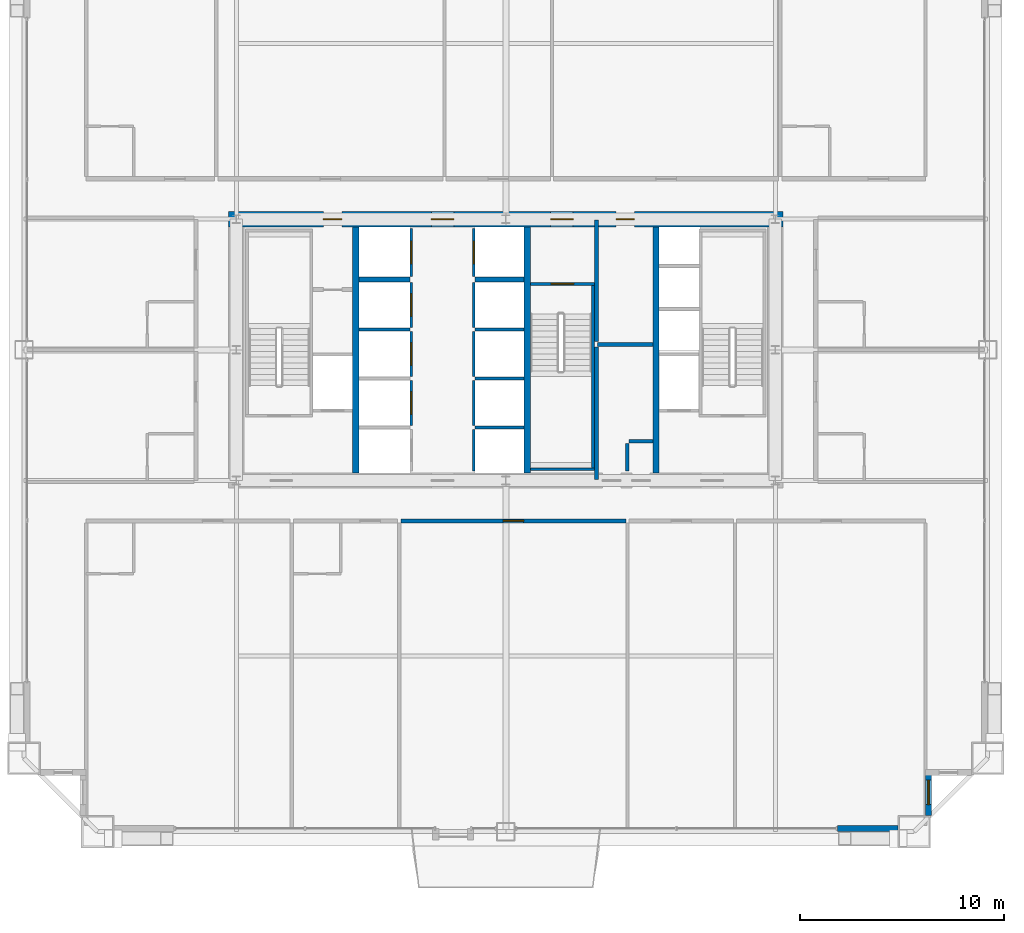
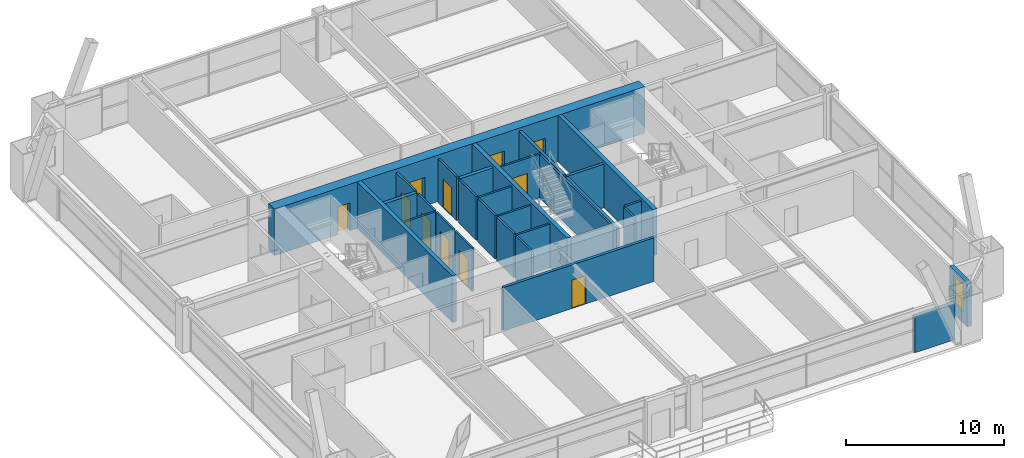
# One storey, part 40 of 43: 30 walls, 11 doors, 1 window, 12 openings.
"""IFC4 building model written with IfcOpenShell, lengths in metres."""

from ifc_helpers import new_model, si_unit, direction, frame, frame_2d, origin, place, context, subcontext, project, spatial, rectangle, extrude, source, transform, mapped, material, layer, layer_set, type_object, element, fill, save


model = new_model("IFC4")

# Units and contexts
model_context = context("Model", 3, precision=1e-05, world=origin(), true_north=direction((0.0, 1.0)))
body_context = subcontext(model_context, "Body", "Model", "MODEL_VIEW")
ifc_project = project(units=[si_unit("LENGTHUNIT", "METRE"), si_unit("AREAUNIT", "SQUARE_METRE"), si_unit("VOLUMEUNIT", "CUBIC_METRE"), si_unit("PLANEANGLEUNIT", "RADIAN"), si_unit("MASSUNIT", "GRAM", prefix="KILO"), si_unit("THERMODYNAMICTEMPERATUREUNIT", "KELVIN"), si_unit("POWERUNIT", "WATT")], contexts=[model_context])

# Site, building, storey
site_placement = place(None, origin())
site = spatial("IfcSite", under=ifc_project, at=site_placement, CompositionType="ELEMENT")
building_placement = place(site_placement, origin())
building = spatial("IfcBuilding", under=site, at=building_placement, Name="Yuzanri Waterfront Tower", CompositionType="ELEMENT")
storey_placement = place(building_placement, frame((0.0, 0.0, 138.0)))
storey = spatial("IfcBuildingStorey", under=building, at=storey_placement, Name="L36", CompositionType="ELEMENT", Elevation=138.0)

# Wall, opening, window
ifc_material_1 = material(Name="Honed Chongqing Dark Basalt Stone", Category="masonry")
ifc_layer_1 = layer(ifc_material_1, 0.300048828125)
ifc_layer_set_1 = layer_set([ifc_layer_1], Name="Honed Chongqing Dark Basalt Stone")
wall_type_1 = type_object("IfcWallType", Name="Bronze Rainscreen Insulated Spandrel Portal Wall 300", PredefinedType="SOLIDWALL", material=ifc_layer_set_1)
wall_1_placement = place(storey_placement, frame((57.699951171875, 3.0, 0.0), z_axis=(0.0, 0.0, 1.0), x_axis=(0.0, 1.0, 0.0)))
wall_1 = element("IfcWall", 1, at=wall_1_placement, inside=storey, type_object=wall_type_1, Name="L36 Notched Corner Masonry Wall SE-Y", PredefinedType="SOLIDWALL", context=body_context, shape_type="SweptSolid", body=[
    extrude(rectangle(XDim=2.25, YDim=0.300048828125, at=frame_2d((1.125, 0.0))), origin(), (0.0, 0.0, 1.0), 3.3798828125),
])
opening_1_placement = place(wall_1_placement, frame((0.52490234375, 0.0, 0.85009765625)))
opening_1 = element("IfcOpeningElement", 2, at=opening_1_placement, cuts=wall_1, Name="Opening WN-02", PredefinedType="OPENING", context=body_context, shape_type="SweptSolid", body=[
    extrude(rectangle(XDim=1.199951171875, YDim=2.10009765625, at=frame_2d((0.60009765625, 1.050048828125))), frame((0.0, 0.1650390625, 0.0), z_axis=(0.0, -1.0, 0.0), x_axis=(1.0, 0.0, 0.0)), (0.0, 0.0, 1.0), 0.329833984375),
])
ifc_material_2 = material(Name="Double-Silver Low-E Insulated Glass", Category="glass")
window_type = type_object("IfcWindowType", Name="Anodized Bronze Notched Corner Deep-Set Slot Window 1200x2100", PartitioningType="SINGLE_PANEL", PredefinedType="WINDOW", material=ifc_material_2)
shared_shape_1 = source(origin(), body_context, "Body", "SweptSolid", [
    extrude(rectangle(XDim=1.199951171875, YDim=2.10009765625, at=frame_2d((0.60009765625, 1.050048828125))), frame((0.0, 0.030029296875, 0.0), z_axis=(0.0, -1.0, 0.0), x_axis=(1.0, 0.0, 0.0)), (0.0, 0.0, 1.0), 0.06005859375),
])
window_placement = place(opening_1_placement, origin())
window = element("IfcWindow", 3, at=window_placement, inside=storey, type_object=window_type, Name="L36 Notched Corner Window SE-Y", OverallHeight=2.10009765625, OverallWidth=1.199951171875, PartitioningType="SINGLE_PANEL", PredefinedType="WINDOW", context=body_context, shape_type="MappedRepresentation", body=[
    mapped(shared_shape_1, transform((0.0, 0.0, 0.0), scale=1.0)),
])
fill(opening_1, window)

# Wall, openings, doors
ifc_material_3 = material(Name="Concrete C55", Category="concrete")
ifc_layer_2 = layer(ifc_material_3, 0.75)
ifc_layer_set_2 = layer_set([ifc_layer_2], Name="Concrete C55")
wall_type_2 = type_object("IfcWallType", Name="Concrete C55 Low-Mid Zone Core Shear Wall 750", PredefinedType="SHEAR", material=ifc_layer_set_2)
wall_2_placement = place(storey_placement, frame((23.425048828125, 32.199951171875, 0.0), z_axis=(0.0, 0.0, 1.0), x_axis=(1.0, 0.0, 0.0)))
wall_2 = element("IfcWall", 4, at=wall_2_placement, inside=storey, type_object=wall_type_2, Name="L36 Core North Shear Wall", PredefinedType="SHEAR", context=body_context, shape_type="SweptSolid", body=[
    extrude(rectangle(XDim=27.14990234375, YDim=0.75, at=frame_2d((13.574951171875, 0.0))), origin(), (0.0, 0.0, 1.0), 3.60009765625),
])
opening_2_placement = place(wall_2_placement, frame((4.64501953125, 0.0, 0.0)))
opening_2 = element("IfcOpeningElement", 5, at=opening_2_placement, cuts=wall_2, Name="Opening FD-0900", PredefinedType="OPENING", context=body_context, shape_type="SweptSolid", body=[
    extrude(rectangle(XDim=0.89990234375, YDim=2.14990234375, at=frame_2d((0.449951171875, 1.074951171875))), frame((0.0, 0.389892578125, 0.0), z_axis=(0.0, -1.0, 0.0), x_axis=(1.0, 0.0, 0.0)), (0.0, 0.0, 1.0), 0.77978515625),
])
opening_3_placement = place(wall_2_placement, frame((9.925048828125, 0.0, 0.0)))
opening_3 = element("IfcOpeningElement", 6, at=opening_3_placement, cuts=wall_2, Name="Opening FD-1100", PredefinedType="OPENING", context=body_context, shape_type="SweptSolid", body=[
    extrude(rectangle(XDim=1.10009765625, YDim=2.199951171875, at=frame_2d((0.550048828125, 1.10009765625))), frame((0.0, 0.389892578125, 0.0), z_axis=(0.0, -1.0, 0.0), x_axis=(1.0, 0.0, 0.0)), (0.0, 0.0, 1.0), 0.77978515625),
])
opening_4_placement = place(wall_2_placement, frame((15.77490234375, 0.0, 0.0)))
opening_4 = element("IfcOpeningElement", 7, at=opening_4_placement, cuts=wall_2, Name="Opening FD-1100", PredefinedType="OPENING", context=body_context, shape_type="SweptSolid", body=[
    extrude(rectangle(XDim=1.10009765625, YDim=2.199951171875, at=frame_2d((0.550048828125, 1.10009765625))), frame((0.0, 0.389892578125, 0.0), z_axis=(0.0, -1.0, 0.0), x_axis=(1.0, 0.0, 0.0)), (0.0, 0.0, 1.0), 0.77978515625),
])
opening_5_placement = place(wall_2_placement, frame((18.97509765625, 0.0, 0.0)))
opening_5 = element("IfcOpeningElement", 8, at=opening_5_placement, cuts=wall_2, Name="Opening FD-0900", PredefinedType="OPENING", context=body_context, shape_type="SweptSolid", body=[
    extrude(rectangle(XDim=0.89990234375, YDim=2.14990234375, at=frame_2d((0.449951171875, 1.074951171875))), frame((0.0, 0.389892578125, 0.0), z_axis=(0.0, -1.0, 0.0), x_axis=(1.0, 0.0, 0.0)), (0.0, 0.0, 1.0), 0.77978515625),
])
ifc_material_4 = material(Name="Painted Galvanized Fire Steel", Category="steel")
door_type_1 = type_object("IfcDoorType", Name="Smoke-Proof Stair and Lobby Fire Door 1100x2200", OperationType="NOTDEFINED", PredefinedType="DOOR", material=ifc_material_4)
shared_shape_2 = source(origin(), body_context, "Body", "SweptSolid", [
    extrude(rectangle(XDim=1.10009765625, YDim=2.199951171875, at=frame_2d((0.550048828125, 1.10009765625))), frame((0.0, 0.02490234375, 0.0), z_axis=(0.0, -1.0, 0.0), x_axis=(1.0, 0.0, 0.0)), (0.0, 0.0, 1.0), 0.050048828125),
])
door_1_placement = place(opening_3_placement, origin())
door_1 = element("IfcDoor", 9, at=door_1_placement, inside=storey, type_object=door_type_1, Name="L36 Central Lift Lobby North Door", OperationType="SINGLE_SWING_RIGHT", OverallHeight=2.199951171875, OverallWidth=1.10009765625, PredefinedType="DOOR", context=body_context, shape_type="MappedRepresentation", body=[
    mapped(shared_shape_2, transform((0.0, 0.0, 0.0), scale=1.0)),
])
fill(opening_3, door_1)
door_2_placement = place(opening_4_placement, origin())
door_2 = element("IfcDoor", 10, at=door_2_placement, inside=storey, type_object=door_type_1, Name="L36 North Stair Lobby Door", OperationType="SINGLE_SWING_LEFT", OverallHeight=2.199951171875, OverallWidth=1.10009765625, PredefinedType="DOOR", context=body_context, shape_type="MappedRepresentation", body=[
    mapped(shared_shape_2, transform((0.0, 0.0, 0.0), scale=1.0)),
])
fill(opening_4, door_2)
ifc_material_5 = material(Name="Painted Galvanized Fire Steel", Category="steel")
door_type_2 = type_object("IfcDoorType", Name="Riser and Service Room Fire Door 900x2150", OperationType="NOTDEFINED", PredefinedType="DOOR", material=ifc_material_5)
shared_shape_3 = source(origin(), body_context, "Body", "SweptSolid", [
    extrude(rectangle(XDim=0.89990234375, YDim=2.14990234375, at=frame_2d((0.449951171875, 1.074951171875))), frame((0.0, 0.02490234375, 0.0), z_axis=(0.0, -1.0, 0.0), x_axis=(1.0, 0.0, 0.0)), (0.0, 0.0, 1.0), 0.050048828125),
])
door_3_placement = place(opening_2_placement, origin())
door_3 = element("IfcDoor", 11, at=door_3_placement, inside=storey, type_object=door_type_2, Name="L36 Telecom Riser Door", OperationType="SINGLE_SWING_LEFT", OverallHeight=2.14990234375, OverallWidth=0.89990234375, PredefinedType="DOOR", context=body_context, shape_type="MappedRepresentation", body=[
    mapped(shared_shape_3, transform((0.0, 0.0, 0.0), scale=1.0)),
])
fill(opening_2, door_3)
door_4_placement = place(opening_5_placement, origin())
door_4 = element("IfcDoor", 12, at=door_4_placement, inside=storey, type_object=door_type_2, Name="L36 Housekeeping Room", OperationType="SINGLE_SWING_LEFT", OverallHeight=2.14990234375, OverallWidth=0.89990234375, PredefinedType="DOOR", context=body_context, shape_type="MappedRepresentation", body=[
    mapped(shared_shape_3, transform((0.0, 0.0, 0.0), scale=1.0)),
])
fill(opening_5, door_4)

# Wall, opening, door
ifc_material_6 = material(Name="Concrete C40", Category="concrete")
ifc_layer_3 = layer(ifc_material_6, 0.139892578125)
ifc_layer_set_3 = layer_set([ifc_layer_3], Name="Concrete C40")
wall_type_3 = type_object("IfcWallType", Name="Core Stair Liner and Hoistway Shaft Wall 140", PredefinedType="SOLIDWALL", material=ifc_layer_set_3)
wall_3_placement = place(storey_placement, frame((32.3701171875, 22.10009765625, 0.0), z_axis=(0.0, 0.0, 1.0), x_axis=(0.0, 1.0, 0.0)))
wall_3 = element("IfcWall", 13, at=wall_3_placement, inside=storey, type_object=wall_type_3, Name="L36 Lift PL-02 Front Shaft Wall", PredefinedType="SOLIDWALL", context=body_context, shape_type="SweptSolid", body=[
    extrude(rectangle(XDim=2.199951171875, YDim=0.139892578125, at=frame_2d((1.10009765625, 0.0))), origin(), (0.0, 0.0, 1.0), 3.3798828125),
])
opening_6_placement = place(wall_3_placement, frame((0.550048828125, 0.0, 0.0)))
opening_6 = element("IfcOpeningElement", 14, at=opening_6_placement, cuts=wall_3, Name="Opening LD-PL-02", PredefinedType="OPENING", context=body_context, shape_type="SweptSolid", body=[
    extrude(rectangle(XDim=1.10009765625, YDim=2.199951171875, at=frame_2d((0.550048828125, 1.10009765625))), frame((0.0, 0.0849609375, 0.0), z_axis=(0.0, -1.0, 0.0), x_axis=(1.0, 0.0, 0.0)), (0.0, 0.0, 1.0), 0.169677734375),
])
ifc_material_7 = material(Name="Brushed Bronze and Stainless Steel Cab", Category="steel")
door_type_3 = type_object("IfcDoorType", Name="Center-Parting Bronze Lift Landing Sliding Door 1100x2200", OperationType="NOTDEFINED", PredefinedType="DOOR", material=ifc_material_7)
shared_shape_4 = source(origin(), body_context, "Body", "SweptSolid", [
    extrude(rectangle(XDim=1.10009765625, YDim=2.199951171875, at=frame_2d((0.550048828125, 1.10009765625))), frame((0.0, 0.02490234375, 0.0), z_axis=(0.0, -1.0, 0.0), x_axis=(1.0, 0.0, 0.0)), (0.0, 0.0, 1.0), 0.050048828125),
])
door_5_placement = place(opening_6_placement, origin())
door_5 = element("IfcDoor", 15, at=door_5_placement, inside=storey, type_object=door_type_3, Name="L36 PL-02 Lift Landing Sliding Door", OperationType="SLIDING_TO_RIGHT", OverallHeight=2.199951171875, OverallWidth=1.10009765625, PredefinedType="DOOR", context=body_context, shape_type="MappedRepresentation", body=[
    mapped(shared_shape_4, transform((0.0, 0.0, 0.0), scale=1.0)),
])
fill(opening_6, door_5)

wall_4_placement = place(storey_placement, frame((32.3701171875, 24.5, 0.0), z_axis=(0.0, 0.0, 1.0), x_axis=(0.0, 1.0, 0.0)))
wall_4 = element("IfcWall", 16, at=wall_4_placement, inside=storey, type_object=wall_type_3, Name="L36 Lift PL-03 Front Shaft Wall", PredefinedType="SOLIDWALL", context=body_context, shape_type="SweptSolid", body=[
    extrude(rectangle(XDim=2.199951171875, YDim=0.139892578125, at=frame_2d((1.10009765625, 0.0))), origin(), (0.0, 0.0, 1.0), 3.3798828125),
])
opening_7_placement = place(wall_4_placement, frame((0.550048828125, 0.0, 0.0)))
opening_7 = element("IfcOpeningElement", 17, at=opening_7_placement, cuts=wall_4, Name="Opening LD-PL-03", PredefinedType="OPENING", context=body_context, shape_type="SweptSolid", body=[
    extrude(rectangle(XDim=1.10009765625, YDim=2.199951171875, at=frame_2d((0.550048828125, 1.10009765625))), frame((0.0, 0.0849609375, 0.0), z_axis=(0.0, -1.0, 0.0), x_axis=(1.0, 0.0, 0.0)), (0.0, 0.0, 1.0), 0.169677734375),
])
door_6_placement = place(opening_7_placement, origin())
door_6 = element("IfcDoor", 18, at=door_6_placement, inside=storey, type_object=door_type_3, Name="L36 PL-03 Lift Landing Sliding Door", OperationType="SLIDING_TO_LEFT", OverallHeight=2.199951171875, OverallWidth=1.10009765625, PredefinedType="DOOR", context=body_context, shape_type="MappedRepresentation", body=[
    mapped(shared_shape_4, transform((0.0, 0.0, 0.0), scale=1.0)),
])
fill(opening_7, door_6)

wall_5_placement = place(storey_placement, frame((32.3701171875, 26.89990234375, 0.0), z_axis=(0.0, 0.0, 1.0), x_axis=(0.0, 1.0, 0.0)))
wall_5 = element("IfcWall", 19, at=wall_5_placement, inside=storey, type_object=wall_type_3, Name="L36 Lift PL-04 Front Shaft Wall", PredefinedType="SOLIDWALL", context=body_context, shape_type="SweptSolid", body=[
    extrude(rectangle(XDim=2.2001953125, YDim=0.139892578125, at=frame_2d((1.10009765625, 0.0))), origin(), (0.0, 0.0, 1.0), 3.3798828125),
])
opening_8_placement = place(wall_5_placement, frame((0.550048828125, 0.0, 0.0)))
opening_8 = element("IfcOpeningElement", 20, at=opening_8_placement, cuts=wall_5, Name="Opening LD-PL-04", PredefinedType="OPENING", context=body_context, shape_type="SweptSolid", body=[
    extrude(rectangle(XDim=1.10009765625, YDim=2.199951171875, at=frame_2d((0.550048828125, 1.10009765625))), frame((0.0, 0.0849609375, 0.0), z_axis=(0.0, -1.0, 0.0), x_axis=(1.0, 0.0, 0.0)), (0.0, 0.0, 1.0), 0.169677734375),
])
door_7_placement = place(opening_8_placement, origin())
door_7 = element("IfcDoor", 21, at=door_7_placement, inside=storey, type_object=door_type_3, Name="L36 PL-04 Lift Landing Sliding Door", OperationType="SLIDING_TO_RIGHT", OverallHeight=2.199951171875, OverallWidth=1.10009765625, PredefinedType="DOOR", context=body_context, shape_type="MappedRepresentation", body=[
    mapped(shared_shape_4, transform((0.0, 0.0, 0.0), scale=1.0)),
])
fill(opening_8, door_7)

wall_6_placement = place(storey_placement, frame((32.3701171875, 29.39990234375, 0.0), z_axis=(0.0, 0.0, 1.0), x_axis=(0.0, 1.0, 0.0)))
wall_6 = element("IfcWall", 22, at=wall_6_placement, inside=storey, type_object=wall_type_3, Name="L36 Lift SL-01 Front Shaft Wall", PredefinedType="SOLIDWALL", context=body_context, shape_type="SweptSolid", body=[
    extrude(rectangle(XDim=2.340087890625, YDim=0.139892578125, at=frame_2d((1.169921875, 0.0))), origin(), (0.0, 0.0, 1.0), 3.3798828125),
])
opening_9_placement = place(wall_6_placement, frame((0.6201171875, 0.0, 0.0)))
opening_9 = element("IfcOpeningElement", 23, at=opening_9_placement, cuts=wall_6, Name="Opening LD-SL-01", PredefinedType="OPENING", context=body_context, shape_type="SweptSolid", body=[
    extrude(rectangle(XDim=1.10009765625, YDim=2.199951171875, at=frame_2d((0.550048828125, 1.10009765625))), frame((0.0, 0.0849609375, 0.0), z_axis=(0.0, -1.0, 0.0), x_axis=(1.0, 0.0, 0.0)), (0.0, 0.0, 1.0), 0.169677734375),
])
door_8_placement = place(opening_9_placement, origin())
door_8 = element("IfcDoor", 24, at=door_8_placement, inside=storey, type_object=door_type_3, Name="L36 SL-01 Lift Landing Sliding Door", OperationType="SLIDING_TO_LEFT", OverallHeight=2.199951171875, OverallWidth=1.10009765625, PredefinedType="DOOR", context=body_context, shape_type="MappedRepresentation", body=[
    mapped(shared_shape_4, transform((0.0, 0.0, 0.0), scale=1.0)),
])
fill(opening_9, door_8)

wall_7_placement = place(storey_placement, frame((35.429931640625, 29.39990234375, 0.0), z_axis=(0.0, 0.0, 1.0), x_axis=(0.0, 1.0, 0.0)))
wall_7 = element("IfcWall", 25, at=wall_7_placement, inside=storey, type_object=wall_type_3, Name="L36 Lift SL-02 Front Shaft Wall", PredefinedType="SOLIDWALL", context=body_context, shape_type="SweptSolid", body=[
    extrude(rectangle(XDim=2.340087890625, YDim=0.139892578125, at=frame_2d((1.169921875, 0.0))), origin(), (0.0, 0.0, 1.0), 3.3798828125),
])
opening_10_placement = place(wall_7_placement, frame((0.6201171875, 0.0, 0.0)))
opening_10 = element("IfcOpeningElement", 26, at=opening_10_placement, cuts=wall_7, Name="Opening LD-SL-02", PredefinedType="OPENING", context=body_context, shape_type="SweptSolid", body=[
    extrude(rectangle(XDim=1.10009765625, YDim=2.199951171875, at=frame_2d((0.550048828125, 1.10009765625))), frame((0.0, 0.0849609375, 0.0), z_axis=(0.0, -1.0, 0.0), x_axis=(1.0, 0.0, 0.0)), (0.0, 0.0, 1.0), 0.169677734375),
])
door_9_placement = place(opening_10_placement, origin())
door_9 = element("IfcDoor", 27, at=door_9_placement, inside=storey, type_object=door_type_3, Name="L36 SL-02 Lift Landing Sliding Door", OperationType="SLIDING_TO_RIGHT", OverallHeight=2.199951171875, OverallWidth=1.10009765625, PredefinedType="DOOR", context=body_context, shape_type="MappedRepresentation", body=[
    mapped(shared_shape_4, transform((0.0, 0.0, 0.0), scale=1.0)),
])
fill(opening_10, door_9)

wall_8_placement = place(storey_placement, frame((38.199951171875, 29.030029296875, 0.0), z_axis=(0.0, 0.0, 1.0), x_axis=(1.0, 0.0, 0.0)))
wall_8 = element("IfcWall", 28, at=wall_8_placement, inside=storey, type_object=wall_type_3, Name="L36 Shaft Wall STW-L36-ST-03-N", PredefinedType="SOLIDWALL", context=body_context, shape_type="SweptSolid", body=[
    extrude(rectangle(XDim=3.14013671875, YDim=0.139892578125, at=frame_2d((1.570068359375, 0.0))), origin(), (0.0, 0.0, 1.0), 3.3798828125),
])
opening_11_placement = place(wall_8_placement, frame((1.02001953125, 0.0, 0.0)))
opening_11 = element("IfcOpeningElement", 29, at=opening_11_placement, cuts=wall_8, Name="Opening FD-1100", PredefinedType="OPENING", context=body_context, shape_type="SweptSolid", body=[
    extrude(rectangle(XDim=1.10009765625, YDim=2.199951171875, at=frame_2d((0.550048828125, 1.10009765625))), frame((0.0, 0.0849609375, 0.0), z_axis=(0.0, -1.0, 0.0), x_axis=(1.0, 0.0, 0.0)), (0.0, 0.0, 1.0), 0.169677734375),
])
door_10_placement = place(opening_11_placement, origin())
door_10 = element("IfcDoor", 30, at=door_10_placement, inside=storey, type_object=door_type_1, Name="L36 Stair ST-03 Fire Door", OperationType="SINGLE_SWING_LEFT", OverallHeight=2.199951171875, OverallWidth=1.10009765625, PredefinedType="DOOR", context=body_context, shape_type="MappedRepresentation", body=[
    mapped(shared_shape_2, transform((0.0, 0.0, 0.0), scale=1.0)),
])
fill(opening_11, door_10)

ifc_material_8 = material(Name="Autoclaved Aerated Concrete Blockwork", Category="masonry")
ifc_layer_4 = layer(ifc_material_8, 0.199951171875)
ifc_layer_set_4 = layer_set([ifc_layer_4], Name="Autoclaved Aerated Concrete Blockwork")
wall_type_4 = type_object("IfcWallType", Name="Corridor and Unit Party Fire Wall 200", PredefinedType="PARTITIONING", material=ifc_layer_set_4)
wall_9_placement = place(storey_placement, frame((31.85791015625, 17.419921875, 0.0), z_axis=(0.0, 0.0, 1.0), x_axis=(1.0, 0.0, 0.0)))
wall_9 = element("IfcWall", 31, at=wall_9_placement, inside=storey, type_object=wall_type_4, Name="L36 Partition UW-L36-S3-CN", PredefinedType="PARTITIONING", context=body_context, shape_type="SweptSolid", body=[
    extrude(rectangle(XDim=11.024169921875, YDim=0.199951171875, at=frame_2d((5.51220703125, 0.0))), origin(), (0.0, 0.0, 1.0), 3.3798828125),
])
opening_12_placement = place(wall_9_placement, frame((5.011962890625, 0.0, 0.0)))
opening_12 = element("IfcOpeningElement", 32, at=opening_12_placement, cuts=wall_9, Name="Opening FD-1000", PredefinedType="OPENING", context=body_context, shape_type="SweptSolid", body=[
    extrude(rectangle(XDim=1.0, YDim=2.199951171875, at=frame_2d((0.5, 1.10009765625))), frame((0.0, 0.11474609375, 0.0), z_axis=(0.0, -1.0, 0.0), x_axis=(1.0, 0.0, 0.0)), (0.0, 0.0, 1.0), 0.229736328125),
])
ifc_material_9 = material(Name="Engineered Oak Fire-Rated Timber", Category="wood")
door_type_4 = type_object("IfcDoorType", Name="Guestroom and Apartment Entrance Fire Door 1000x2200", OperationType="NOTDEFINED", PredefinedType="DOOR", material=ifc_material_9)
shared_shape_5 = source(origin(), body_context, "Body", "SweptSolid", [
    extrude(rectangle(XDim=1.0, YDim=2.199951171875, at=frame_2d((0.5, 1.10009765625))), frame((0.0, 0.02490234375, 0.0), z_axis=(0.0, -1.0, 0.0), x_axis=(1.0, 0.0, 0.0)), (0.0, 0.0, 1.0), 0.050048828125),
])
door_11_placement = place(opening_12_placement, origin())
door_11 = element("IfcDoor", 33, at=door_11_placement, inside=storey, type_object=door_type_4, Name="L36 Yoga Gym Studio Entrance Door", OperationType="SINGLE_SWING_RIGHT", OverallHeight=2.199951171875, OverallWidth=1.0, PredefinedType="DOOR", context=body_context, shape_type="MappedRepresentation", body=[
    mapped(shared_shape_5, transform((0.0, 0.0, 0.0), scale=1.0)),
])
fill(opening_12, door_11)

# Walls
ifc_material_10 = material(Name="Concrete C50", Category="concrete")
ifc_layer_5 = layer(ifc_material_10, 0.300048828125)
ifc_layer_set_5 = layer_set([ifc_layer_5], Name="Concrete C50")
wall_type_5 = type_object("IfcWallType", Name="Concrete C50 Internal Core Shaft Structural Wall 300", PredefinedType="SOLIDWALL", material=ifc_layer_set_5)
shared_shape_6 = source(origin(), body_context, "Body", "SweptSolid", [
    extrude(rectangle(XDim=12.050048828125, YDim=0.300048828125, at=frame_2d((6.02490234375, 0.0))), origin(), (0.0, 0.0, 1.0), 3.60009765625),
])
for number, where, z_axis, x_axis, name in (
    (34, (29.64990234375, 19.77490234375, 0.0), (0.0, 0.0, 1.0), (0.0, 1.0, 0.0), "L36 Core Internal Structural Web Wall 1"),
    (35, (38.050048828125, 19.77490234375, 0.0), (0.0, 0.0, 1.0), (0.0, 1.0, 0.0), "L36 Core Internal Structural Web Wall 2"),
    (36, (44.35009765625, 19.77490234375, 0.0), (0.0, 0.0, 1.0), (0.0, 1.0, 0.0), "L36 Core Internal Structural Web Wall 3"),
):
    element("IfcWall", number, at=place(storey_placement, frame(where, z_axis=z_axis, x_axis=x_axis)), inside=storey, type_object=wall_type_5, Name=name, PredefinedType="SOLIDWALL", context=body_context, shape_type="MappedRepresentation", body=[
        mapped(shared_shape_6, transform((0.0, 0.0, 0.0), scale=1.0)),
    ])
shared_shape_7 = source(origin(), body_context, "Body", "SweptSolid", [
    extrude(rectangle(XDim=2.949951171875, YDim=0.300048828125, at=frame_2d((1.47509765625, 0.0))), origin(), (0.0, 0.0, 1.0), 2.77490234375),
])
wall_10_placement = place(storey_placement, frame((53.25, 2.35009765625, 0.0), z_axis=(0.0, 0.0, 1.0), x_axis=(1.0, 0.0, 0.0)))
element("IfcWall", 37, at=wall_10_placement, inside=storey, type_object=wall_type_1, Name="L36 S Right Braced Masonry Shoulder", PredefinedType="SOLIDWALL", context=body_context, shape_type="MappedRepresentation", body=[
    mapped(shared_shape_7, transform((0.0, 0.0, 0.0), scale=1.0)),
])
shared_shape_8 = source(origin(), body_context, "Body", "SweptSolid", [
    extrude(rectangle(XDim=2.5, YDim=0.139892578125, at=frame_2d((1.25, 0.0))), origin(), (0.0, 0.0, 1.0), 3.3798828125),
])
wall_11_placement = place(storey_placement, frame((29.800048828125, 26.800048828125, 0.0), z_axis=(0.0, 0.0, 1.0), x_axis=(1.0, 0.0, 0.0)))
element("IfcWall", 38, at=wall_11_placement, inside=storey, type_object=wall_type_3, Name="L36 Lift PL-03 Divider Wall", PredefinedType="SOLIDWALL", context=body_context, shape_type="MappedRepresentation", body=[
    mapped(shared_shape_8, transform((0.0, 0.0, 0.0), scale=1.0)),
])
ifc_material_11 = material(Name="Concrete C40", Category="concrete")
ifc_layer_6 = layer(ifc_material_11, 0.25)
ifc_layer_set_6 = layer_set([ifc_layer_6], Name="Concrete C40")
wall_type_6 = type_object("IfcWallType", Name="Smoke-Proof Stair and Lift Shaft Wall 250", PredefinedType="SOLIDWALL", material=ifc_layer_set_6)
shared_shape_9 = source(origin(), body_context, "Body", "SweptSolid", [
    extrude(rectangle(XDim=2.5, YDim=0.25, at=frame_2d((1.25, 0.0))), origin(), (0.0, 0.0, 1.0), 3.3798828125),
])
wall_12_placement = place(storey_placement, frame((29.800048828125, 29.25, 0.0), z_axis=(0.0, 0.0, 1.0), x_axis=(1.0, 0.0, 0.0)))
element("IfcWall", 39, at=wall_12_placement, inside=storey, type_object=wall_type_6, Name="L36 Lift SL-01 South Shaft Wall", PredefinedType="SOLIDWALL", context=body_context, shape_type="MappedRepresentation", body=[
    mapped(shared_shape_9, transform((0.0, 0.0, 0.0), scale=1.0)),
])
shared_shape_10 = source(origin(), body_context, "Body", "SweptSolid", [
    extrude(rectangle(XDim=2.039794921875, YDim=0.139892578125, at=frame_2d((1.02001953125, 0.0))), origin(), (0.0, 0.0, 1.0), 3.3798828125),
])
wall_13_placement = place(storey_placement, frame((35.429931640625, 19.860107421875, 0.0), z_axis=(0.0, 0.0, 1.0), x_axis=(0.0, 1.0, 0.0)))
element("IfcWall", 40, at=wall_13_placement, inside=storey, type_object=wall_type_3, Name="L36 Lift PL-05 Front Shaft Wall", PredefinedType="SOLIDWALL", context=body_context, shape_type="MappedRepresentation", body=[
    mapped(shared_shape_10, transform((0.0, 0.0, 0.0), scale=1.0)),
])
shared_shape_11 = source(origin(), body_context, "Body", "SweptSolid", [
    extrude(rectangle(XDim=2.39990234375, YDim=0.139892578125, at=frame_2d((1.199951171875, 0.0))), origin(), (0.0, 0.0, 1.0), 3.3798828125),
])
for number, where, z_axis, x_axis, name in (
    (41, (35.5, 22.0, 0.0), (0.0, 0.0, 1.0), (1.0, 0.0, 0.0), "L36 Lift PL-05 Divider Wall"),
    (42, (35.5, 24.39990234375, 0.0), (0.0, 0.0, 1.0), (1.0, 0.0, 0.0), "L36 Lift PL-06 Divider Wall"),
    (43, (35.5, 26.800048828125, 0.0), (0.0, 0.0, 1.0), (1.0, 0.0, 0.0), "L36 Lift PL-07 Divider Wall"),
):
    element("IfcWall", number, at=place(storey_placement, frame(where, z_axis=z_axis, x_axis=x_axis)), inside=storey, type_object=wall_type_3, Name=name, PredefinedType="SOLIDWALL", context=body_context, shape_type="MappedRepresentation", body=[
        mapped(shared_shape_11, transform((0.0, 0.0, 0.0), scale=1.0)),
    ])
shared_shape_12 = source(origin(), body_context, "Body", "SweptSolid", [
    extrude(rectangle(XDim=2.199951171875, YDim=0.139892578125, at=frame_2d((1.10009765625, 0.0))), origin(), (0.0, 0.0, 1.0), 3.3798828125),
])
for number, where, z_axis, x_axis, name in (
    (44, (35.429931640625, 22.10009765625, 0.0), (0.0, 0.0, 1.0), (0.0, 1.0, 0.0), "L36 Lift PL-06 Front Shaft Wall"),
    (45, (35.429931640625, 24.5, 0.0), (0.0, 0.0, 1.0), (0.0, 1.0, 0.0), "L36 Lift PL-07 Front Shaft Wall"),
):
    element("IfcWall", number, at=place(storey_placement, frame(where, z_axis=z_axis, x_axis=x_axis)), inside=storey, type_object=wall_type_3, Name=name, PredefinedType="SOLIDWALL", context=body_context, shape_type="MappedRepresentation", body=[
        mapped(shared_shape_12, transform((0.0, 0.0, 0.0), scale=1.0)),
    ])
shared_shape_13 = source(origin(), body_context, "Body", "SweptSolid", [
    extrude(rectangle(XDim=2.2001953125, YDim=0.139892578125, at=frame_2d((1.10009765625, 0.0))), origin(), (0.0, 0.0, 1.0), 3.3798828125),
])
wall_14_placement = place(storey_placement, frame((35.429931640625, 26.89990234375, 0.0), z_axis=(0.0, 0.0, 1.0), x_axis=(0.0, 1.0, 0.0)))
element("IfcWall", 46, at=wall_14_placement, inside=storey, type_object=wall_type_3, Name="L36 Lift PL-08 Front Shaft Wall", PredefinedType="SOLIDWALL", context=body_context, shape_type="MappedRepresentation", body=[
    mapped(shared_shape_13, transform((0.0, 0.0, 0.0), scale=1.0)),
])
shared_shape_14 = source(origin(), body_context, "Body", "SweptSolid", [
    extrude(rectangle(XDim=2.39990234375, YDim=0.25, at=frame_2d((1.199951171875, 0.0))), origin(), (0.0, 0.0, 1.0), 3.3798828125),
])
wall_15_placement = place(storey_placement, frame((35.5, 29.25, 0.0), z_axis=(0.0, 0.0, 1.0), x_axis=(1.0, 0.0, 0.0)))
element("IfcWall", 47, at=wall_15_placement, inside=storey, type_object=wall_type_6, Name="L36 Lift SL-02 South Shaft Wall", PredefinedType="SOLIDWALL", context=body_context, shape_type="MappedRepresentation", body=[
    mapped(shared_shape_14, transform((0.0, 0.0, 0.0), scale=1.0)),
])
shared_shape_15 = source(origin(), body_context, "Body", "SweptSolid", [
    extrude(rectangle(XDim=3.14013671875, YDim=0.139892578125, at=frame_2d((1.570068359375, 0.0))), origin(), (0.0, 0.0, 1.0), 3.3798828125),
])
wall_16_placement = place(storey_placement, frame((38.199951171875, 19.949951171875, 0.0), z_axis=(0.0, 0.0, 1.0), x_axis=(1.0, 0.0, 0.0)))
element("IfcWall", 48, at=wall_16_placement, inside=storey, type_object=wall_type_3, Name="L36 Stair ST-03 South Shaft Wall", PredefinedType="SOLIDWALL", context=body_context, shape_type="MappedRepresentation", body=[
    mapped(shared_shape_15, transform((0.0, 0.0, 0.0), scale=1.0)),
])
shared_shape_16 = source(origin(), body_context, "Body", "SweptSolid", [
    extrude(rectangle(XDim=8.93994140625, YDim=0.139892578125, at=frame_2d((4.469970703125, 0.0))), origin(), (0.0, 0.0, 1.0), 3.3798828125),
])
wall_17_placement = place(storey_placement, frame((41.27001953125, 20.02001953125, 0.0), z_axis=(0.0, 0.0, 1.0), x_axis=(0.0, 1.0, 0.0)))
element("IfcWall", 49, at=wall_17_placement, inside=storey, type_object=wall_type_3, Name="L36 Stair ST-03 East Shaft Wall", PredefinedType="SOLIDWALL", context=body_context, shape_type="MappedRepresentation", body=[
    mapped(shared_shape_16, transform((0.0, 0.0, 0.0), scale=1.0)),
])
ifc_material_12 = material(Name="Gypsum Fireboard Acoustic Stud Wall", Category="gypsum")
ifc_layer_7 = layer(ifc_material_12, 0.159912109375)
ifc_layer_set_7 = layer_set([ifc_layer_7], Name="Gypsum Fireboard Acoustic Stud Wall")
wall_type_7 = type_object("IfcWallType", Name="Acoustic Suite Demising Partition 160", PredefinedType="PARTITIONING", material=ifc_layer_set_7)
shared_shape_17 = source(origin(), body_context, "Body", "SweptSolid", [
    extrude(rectangle(XDim=1.33984375, YDim=0.159912109375, at=frame_2d((0.669921875, 0.0))), origin(), (0.0, 0.0, 1.0), 3.3798828125),
])
wall_18_placement = place(storey_placement, frame((42.949951171875, 19.860107421875, 0.0), z_axis=(0.0, 0.0, 1.0), x_axis=(0.0, 1.0, 0.0)))
element("IfcWall", 50, at=wall_18_placement, inside=storey, type_object=wall_type_7, Name="L36 East Wet Riser West Wall", PredefinedType="PARTITIONING", context=body_context, shape_type="MappedRepresentation", body=[
    mapped(shared_shape_17, transform((0.0, 0.0, 0.0), scale=1.0)),
])
shared_shape_18 = source(origin(), body_context, "Body", "SweptSolid", [
    extrude(rectangle(XDim=1.169921875, YDim=0.159912109375, at=frame_2d((0.5849609375, 0.0))), origin(), (0.0, 0.0, 1.0), 3.3798828125),
])
wall_19_placement = place(storey_placement, frame((43.030029296875, 21.320068359375, 0.0), z_axis=(0.0, 0.0, 1.0), x_axis=(1.0, 0.0, 0.0)))
element("IfcWall", 51, at=wall_19_placement, inside=storey, type_object=wall_type_7, Name="L36 East Wet Riser North Wall", PredefinedType="PARTITIONING", context=body_context, shape_type="MappedRepresentation", body=[
    mapped(shared_shape_18, transform((0.0, 0.0, 0.0), scale=1.0)),
])
shared_shape_19 = source(origin(), body_context, "Body", "SweptSolid", [
    extrude(rectangle(XDim=6.510009765625, YDim=0.199951171875, at=frame_2d((3.2548828125, 0.0))), origin(), (0.0, 0.0, 1.0), 3.3798828125),
])
wall_20_placement = place(storey_placement, frame((41.449951171875, 19.43994140625, 0.0), z_axis=(0.0, 0.0, 1.0), x_axis=(0.0, 1.0, 0.0)))
element("IfcWall", 52, at=wall_20_placement, inside=storey, type_object=wall_type_4, Name="L36 Core BOH West Wall 1", PredefinedType="PARTITIONING", context=body_context, shape_type="MappedRepresentation", body=[
    mapped(shared_shape_19, transform((0.0, 0.0, 0.0), scale=1.0)),
])
shared_shape_20 = source(origin(), body_context, "Body", "SweptSolid", [
    extrude(rectangle(XDim=2.699951171875, YDim=0.199951171875, at=frame_2d((1.35009765625, 0.0))), origin(), (0.0, 0.0, 1.0), 3.3798828125),
])
wall_21_placement = place(storey_placement, frame((41.5, 26.070068359375, 0.0), z_axis=(0.0, 0.0, 1.0), x_axis=(1.0, 0.0, 0.0)))
element("IfcWall", 53, at=wall_21_placement, inside=storey, type_object=wall_type_4, Name="L36 Core BOH Split Wall 1", PredefinedType="PARTITIONING", context=body_context, shape_type="MappedRepresentation", body=[
    mapped(shared_shape_20, transform((0.0, 0.0, 0.0), scale=1.0)),
])
shared_shape_21 = source(origin(), body_context, "Body", "SweptSolid", [
    extrude(rectangle(XDim=5.9599609375, YDim=0.199951171875, at=frame_2d((2.97998046875, 0.0))), origin(), (0.0, 0.0, 1.0), 3.3798828125),
])
wall_22_placement = place(storey_placement, frame((41.449951171875, 26.199951171875, 0.0), z_axis=(0.0, 0.0, 1.0), x_axis=(0.0, 1.0, 0.0)))
element("IfcWall", 54, at=wall_22_placement, inside=storey, type_object=wall_type_4, Name="L36 Core BOH West Wall 2", PredefinedType="PARTITIONING", context=body_context, shape_type="MappedRepresentation", body=[
    mapped(shared_shape_21, transform((0.0, 0.0, 0.0), scale=1.0)),
])

save(model, "model.ifc")
